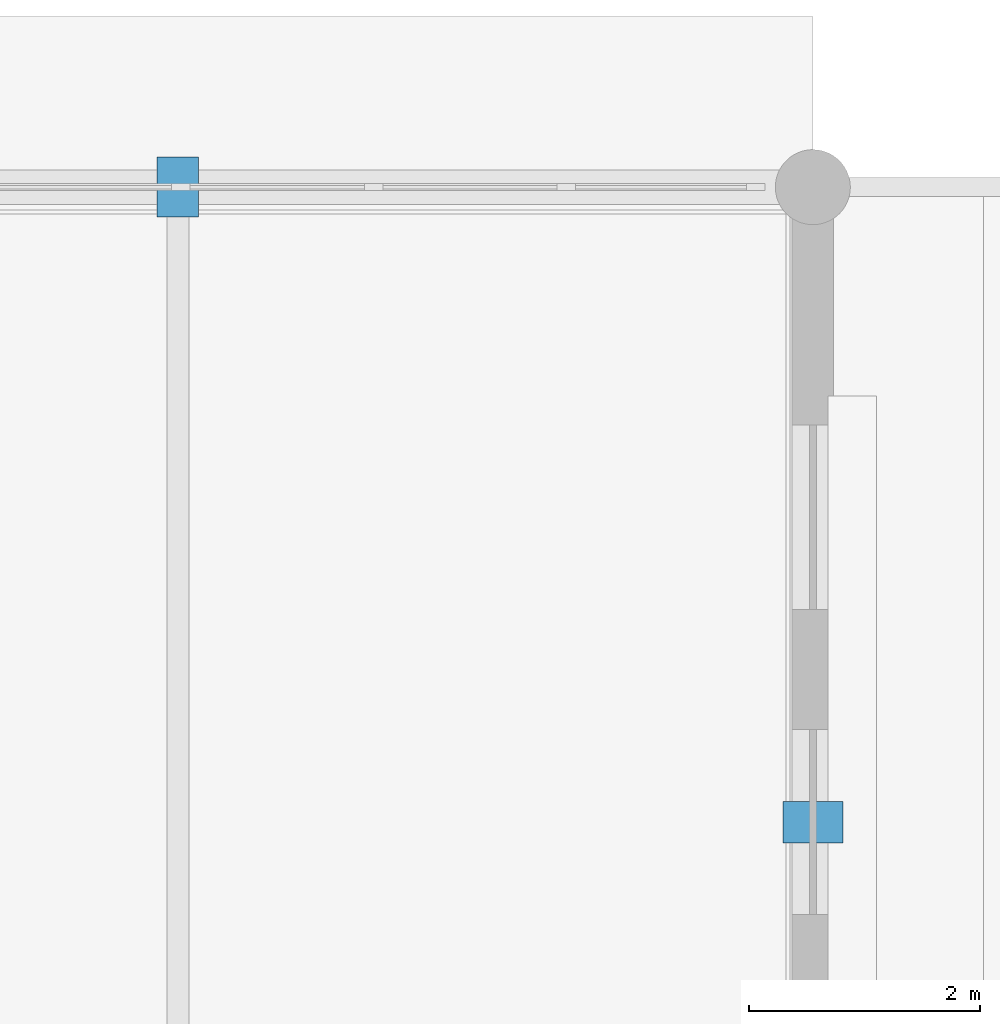
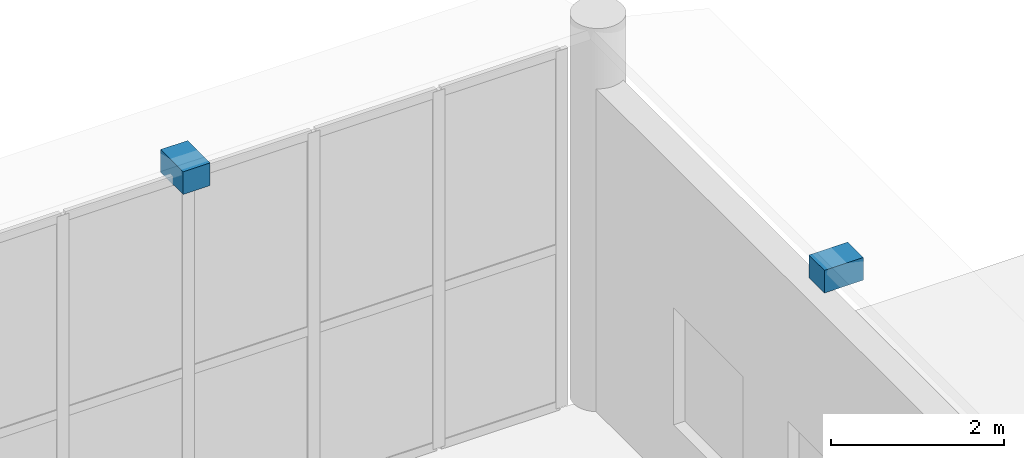
# One storey, part 93 of 120: 2 discrete accessories.
"""IFC4 building model written with IfcOpenShell, lengths in metres."""

import ifcopenshell
import ifcopenshell.guid

model = None  # the IFC model being written
_history = None  # IfcOwnerHistory: only IFC2X3 demands one
_inside = {}  # id of a spatial element -> (the spatial element, [elements in it])
_under = {}  # id of a project, library or spatial element -> (it, [spatial elements below it])
_declared = {}  # id of a project -> (the project, [libraries it declares])
_typed = {}  # id of a type object -> (the type object, [elements of that type])
_made_of = {}  # id of a material, layer set ... -> (it, [elements and type objects made of it])


def new_model(schema):
    """Start an empty IFC model of exactly this schema.

    Asked for "IFC4X3", IfcOpenShell would pick the latest addendum, in which some entities
    have other attributes; the version numbers below select the first issue.
    IFC2X3 requires an IfcOwnerHistory on every rooted entity: one is made here for all.
    """
    global model, _history
    if schema == "IFC4X3":
        model = ifcopenshell.file(schema_version=(4, 3, 0, 0))
    else:
        model = ifcopenshell.file(schema=schema)
    _inside.clear()
    _under.clear()
    _declared.clear()
    _typed.clear()
    _made_of.clear()
    _history = None
    if model.schema == "IFC2X3":
        org = make("IfcOrganization", Name="unknown")
        user = make(
            "IfcPersonAndOrganization",
            ThePerson=make("IfcPerson", FamilyName="unknown"),
            TheOrganization=org,
        )
        app = make(
            "IfcApplication",
            ApplicationDeveloper=org,
            Version="unknown",
            ApplicationFullName="unknown",
            ApplicationIdentifier="unknown",
        )
        _history = make(
            "IfcOwnerHistory",
            OwningUser=user,
            OwningApplication=app,
            ChangeAction="ADDED",
            CreationDate=0,
        )
    return model


def make(cls, **values):
    """One entity of the class cls with the attributes given. An attribute that is None is left unset."""
    return model.create_entity(
        cls, **{name: value for name, value in values.items() if value is not None}
    )


def rooted(cls, **values):
    """An entity with a GlobalId (a new one), such as an element, a storey or a relation."""
    return make(cls, GlobalId=ifcopenshell.guid.new(), OwnerHistory=_history, **values)


def si_unit(unit_type, name, prefix=None):
    """IfcSIUnit, for example si_unit("LENGTHUNIT", "METRE", prefix="MILLI")."""
    return make("IfcSIUnit", UnitType=unit_type, Prefix=prefix, Name=name)


def assignment(units):
    """IfcUnitAssignment: the units of a project."""
    return None if units is None else make("IfcUnitAssignment", Units=units)


def point(xyz):
    """IfcCartesianPoint."""
    return None if xyz is None else make("IfcCartesianPoint", Coordinates=xyz)


def direction(xyz):
    """IfcDirection."""
    return None if xyz is None else make("IfcDirection", DirectionRatios=xyz)


def frame(location, z_axis=None, x_axis=None):
    """IfcAxis2Placement3D, a coordinate frame: its origin and axes. An axis left out is left unset."""
    return make(
        "IfcAxis2Placement3D",
        Location=point(location),
        Axis=direction(z_axis),
        RefDirection=direction(x_axis),
    )


def frame_2d(location, x_axis=None):
    """IfcAxis2Placement2D, a coordinate frame in the plane: its origin and x axis."""
    return make(
        "IfcAxis2Placement2D", Location=point(location), RefDirection=direction(x_axis)
    )


def origin():
    """The frame at (0, 0, 0) with its axes left unset."""
    return frame((0.0, 0.0, 0.0))


def origin_2d():
    """The frame at (0, 0) in the plane with its x axis left unset."""
    return frame_2d((0.0, 0.0))


def place(relative_to, where):
    """IfcLocalPlacement: puts the frame where relative to a parent placement (None: the world)."""
    return make(
        "IfcLocalPlacement", PlacementRelTo=relative_to, RelativePlacement=where
    )


def context(
    kind, dimensions, precision=None, world=None, true_north=None, identifier=None
):
    """IfcGeometricRepresentationContext, for example the 3D "Model" context."""
    return make(
        "IfcGeometricRepresentationContext",
        ContextIdentifier=identifier,
        ContextType=kind,
        CoordinateSpaceDimension=dimensions,
        Precision=precision,
        WorldCoordinateSystem=world,
        TrueNorth=true_north,
    )


def subcontext(parent, identifier, kind, view, scale=None):
    """IfcGeometricRepresentationSubContext, for example "Body" below "Model"."""
    return make(
        "IfcGeometricRepresentationSubContext",
        ContextIdentifier=identifier,
        ContextType=kind,
        ParentContext=parent,
        TargetScale=scale,
        TargetView=view,
    )


def project(units=None, contexts=None):
    """IfcProject with its units and contexts."""
    return rooted(
        "IfcProject",
        Name="project",
        RepresentationContexts=contexts,
        UnitsInContext=assignment(units),
    )


def spatial(cls, under=None, at=None, **own):
    """A site, building, storey or space (cls), placed at a placement, below another one or the project."""
    s = rooted(cls, ObjectPlacement=at, **own)
    if under is not None:
        _under.setdefault(under.id(), (under, []))[1].append(s)
    return s


def profile(cls, at=None, kind="AREA", **sizes):
    """A parametric profile (cls). Its sizes go by their IFC names, for example OverallWidth=200.0."""
    return make(cls, ProfileType=kind, Position=at, **sizes)


def rectangle(**sizes):
    """IfcRectangleProfileDef."""
    return profile("IfcRectangleProfileDef", **sizes)


def extrude(swept, where, along, depth):
    """IfcExtrudedAreaSolid: the profile swept, set in the frame where, extruded along a direction by depth."""
    return make(
        "IfcExtrudedAreaSolid",
        SweptArea=swept,
        Position=where,
        ExtrudedDirection=direction(along),
        Depth=depth,
    )


def shape(context_of_items, identifier, shape_type, items):
    """IfcShapeRepresentation: the items that make up one representation, for example the "Body"."""
    return make(
        "IfcShapeRepresentation",
        ContextOfItems=context_of_items,
        RepresentationIdentifier=identifier,
        RepresentationType=shape_type,
        Items=items,
    )


def material(Name=None, Category=None):
    """IfcMaterial."""
    return make("IfcMaterial", Name=Name, Category=Category)


def layer(
    of_material, thickness, ventilated=None, Name=None, Category=None, Priority=None
):
    """IfcMaterialLayer: one layer of a wall or slab, of a material (None: an air gap)."""
    return make(
        "IfcMaterialLayer",
        Material=of_material,
        LayerThickness=thickness,
        IsVentilated=ventilated,
        Name=Name,
        Category=Category,
        Priority=Priority,
    )


def layer_set(layers, Name=None):
    """IfcMaterialLayerSet."""
    return make("IfcMaterialLayerSet", MaterialLayers=layers, LayerSetName=Name)


def made_of(thing, what):
    """Note that an element or type object is made of a material, layer set ...; save() writes the relation."""
    if what is not None:
        _made_of.setdefault(what.id(), (what, []))[1].append(thing)
    return thing


def type_object(cls, material=None, **own):
    """A type object (cls), such as IfcWallType, which elements share."""
    return made_of(rooted(cls, **own), material)


def element(
    cls,
    number,
    at=None,
    inside=None,
    cuts=None,
    type_object=None,
    material=None,
    context=None,
    identifier="Body",
    shape_type=None,
    held_by="IfcProductDefinitionShape",
    body=None,
    shapes=None,
    **own,
):
    """One element of the class cls, such as IfcWall. Its Tag is "e" and its number.

    at: its placement. inside: the storey or other place that contains it. cuts: it is an
    opening in that element (IfcRelVoidsElement). A single representation is given by context,
    identifier, shape_type and body (its items); several are given by shapes. held_by: the class
    of the entity that holds the representations. save() writes the other relations.
    """
    e = rooted(cls, Tag="e%d" % number, ObjectPlacement=at, **own)
    if body is not None:
        shapes = [shape(context, identifier, shape_type, body)]
    if shapes is not None:
        e.Representation = make(held_by, Representations=shapes)
    if inside is not None:
        _inside.setdefault(inside.id(), (inside, []))[1].append(e)
    if cuts is not None:
        rooted(
            "IfcRelVoidsElement", RelatingBuildingElement=cuts, RelatedOpeningElement=e
        )
    if type_object is not None:
        _typed.setdefault(type_object.id(), (type_object, []))[1].append(e)
    return made_of(e, material)


def aggregate(whole, parts):
    """IfcRelAggregates: a whole, such as a stair, and the parts it consists of."""
    return rooted("IfcRelAggregates", RelatingObject=whole, RelatedObjects=parts)


def save(model, path):
    """Write the relations noted so far, then the file.

    IfcRelAggregates (storeys below a building ...), IfcRelContainedInSpatialStructure (elements
    in a storey), IfcRelDefinesByType, IfcRelAssociatesMaterial and IfcRelDeclares: one each for
    every whole, place, type object, material and project.
    """
    for whole, parts in _under.values():
        aggregate(whole, parts)
    for where, things in _inside.values():
        rooted(
            "IfcRelContainedInSpatialStructure",
            RelatedElements=things,
            RelatingStructure=where,
        )
    for kind, things in _typed.values():
        rooted("IfcRelDefinesByType", RelatedObjects=things, RelatingType=kind)
    for what, things in _made_of.values():
        rooted("IfcRelAssociatesMaterial", RelatedObjects=things, RelatingMaterial=what)
    for by, libraries in _declared.values():
        rooted("IfcRelDeclares", RelatingContext=by, RelatedDefinitions=libraries)
    model.write(path)


model = new_model("IFC4")

# Units and contexts
model_context = context("Model", 3, precision=1e-05, world=origin(), true_north=direction((0.0, 1.0)))
body_context = subcontext(model_context, "Body", "Model", "MODEL_VIEW")
ifc_project = project(units=[si_unit("LENGTHUNIT", "METRE"), si_unit("AREAUNIT", "SQUARE_METRE"), si_unit("VOLUMEUNIT", "CUBIC_METRE"), si_unit("PLANEANGLEUNIT", "RADIAN"), si_unit("MASSUNIT", "GRAM", prefix="KILO")], contexts=[model_context])

# Site, building, storey
site_placement = place(None, origin())
site = spatial("IfcSite", under=ifc_project, at=site_placement, CompositionType="ELEMENT")
building_placement = place(site_placement, origin())
building = spatial("IfcBuilding", under=site, at=building_placement, Name="Luwafu Chhajja Arena", CompositionType="ELEMENT")
storey_placement = place(building_placement, origin())
storey = spatial("IfcBuildingStorey", under=building, at=storey_placement, Name="L00", CompositionType="ELEMENT", Elevation=0.0)

# Discrete accessories
ifc_material = material(Name="Stainless steel bracket", Category="steel")
ifc_layer = layer(ifc_material, 0.179931640625, Name="Stainless steel bracket")
ifc_layer_set = layer_set([ifc_layer], Name="Stainless steel bracket")
discrete_accessory_type = type_object("IfcDiscreteAccessoryType", Name="Stainless Steel Facade Support Bracket", PredefinedType="BRACKET", material=ifc_layer_set)
for number, where, z_axis, x_axis, name in (
    (1, (181.5, 132.0, 4.97998046875), (0.0, 0.0, 1.0), (1.0, 0.0, 0.0), "L00 Chhajja Eave Support Bracket 0109"),
    (2, (187.0, 126.5, 4.97998046875), (0.0, 0.0, 1.0), (0.0, 1.0, 0.0), "L00 Chhajja Eave Support Bracket 0110"),
):
    element("IfcDiscreteAccessory", number, at=place(storey_placement, frame(where, z_axis=z_axis, x_axis=x_axis)), inside=storey, type_object=discrete_accessory_type, Name=name, PredefinedType="BRACKET", context=body_context, shape_type="SweptSolid", body=[
        extrude(rectangle(XDim=0.360107421875, YDim=0.52001953125, at=origin_2d()), origin(), (0.0, 0.0, 1.0), 0.320068359375),
    ])

save(model, "model.ifc")
